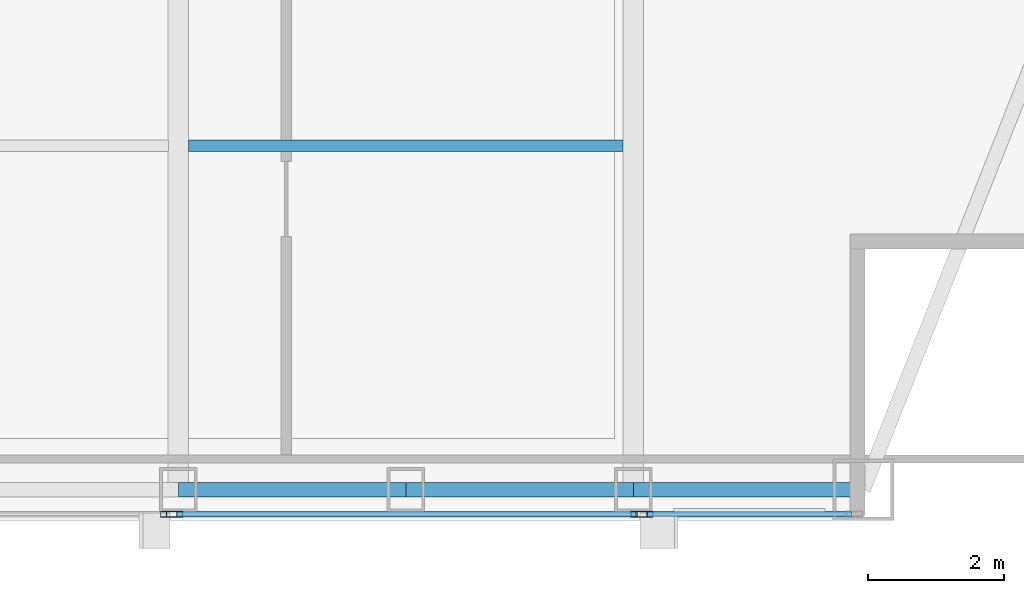
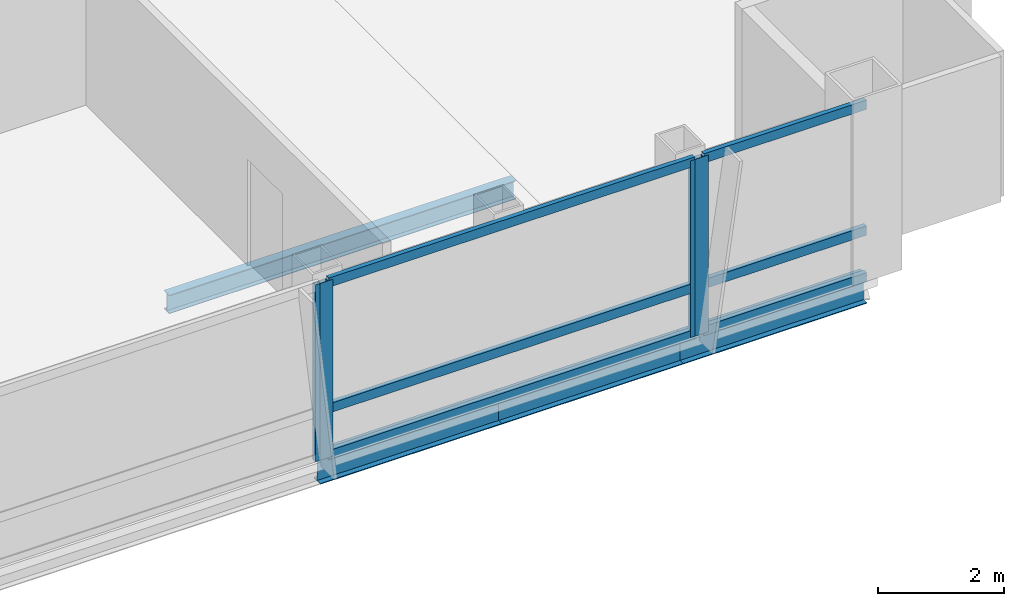
# One storey, part 14 of 29: 10 members, 4 beams, 3 elements without a shape of their own.
"""IFC4 building model written with IfcOpenShell, lengths in metres."""

from ifc_helpers import new_model, si_unit, direction, frame, origin, origin_2d, place, context, subcontext, project, spatial, hollow_rectangle, i_section, extrude, material, material_profile, profile_set, type_object, element, aggregate, save


model = new_model("IFC4")

# Units and contexts
model_context = context("Model", 3, precision=1e-05, world=origin(), true_north=direction((0.0, 1.0)))
body_context = subcontext(model_context, "Body", "Model", "MODEL_VIEW")
ifc_project = project(units=[si_unit("LENGTHUNIT", "METRE"), si_unit("AREAUNIT", "SQUARE_METRE"), si_unit("VOLUMEUNIT", "CUBIC_METRE"), si_unit("PLANEANGLEUNIT", "RADIAN"), si_unit("MASSUNIT", "GRAM", prefix="KILO")], contexts=[model_context])

# Site, building, storey
site_placement = place(None, origin())
site = spatial("IfcSite", under=ifc_project, at=site_placement, CompositionType="ELEMENT")
building_placement = place(site_placement, origin())
building = spatial("IfcBuilding", under=site, at=building_placement, Name="Khoronbel Lancet Exchange", CompositionType="ELEMENT")
storey_placement = place(building_placement, frame((0.0, 0.0, 329.0)))
storey = spatial("IfcBuildingStorey", under=building, at=storey_placement, Name="L85", CompositionType="ELEMENT", Elevation=329.0)

# Beams
ifc_material_1 = material(Name="Steel S355", Category="steel")
ifc_material_profile_1 = material_profile(ifc_material_1, i_section(OverallWidth=0.169921875, OverallDepth=0.360107421875, WebThickness=0.008056640625, FlangeThickness=0.0126953125, at=origin_2d()), Name="IPE 360")
ifc_profile_set_1 = profile_set([ifc_material_profile_1], Name="Steel S355")
beam_type_1 = type_object("IfcBeamType", Name="BM-BJ6", PredefinedType="JOIST", material=ifc_profile_set_1)
beam_1_placement = place(storey_placement, frame((48.14990234375, 15.199951171875, -0.340087890625), z_axis=(1.0, 0.0, 0.0), x_axis=(0.0, 1.0, 0.0)))
element("IfcBeam", 1, at=beam_1_placement, inside=storey, type_object=beam_type_1, Name="Level L85 secondary composite joist J03", PredefinedType="JOIST", context=body_context, shape_type="SweptSolid", body=[
    extrude(i_section(OverallWidth=0.169921875, OverallDepth=0.360107421875, WebThickness=0.008056640625, FlangeThickness=0.0126953125, at=origin_2d()), origin(), (0.0, 0.0, 1.0), 6.375),
])
ifc_material_profile_2 = material_profile(ifc_material_1, i_section(OverallWidth=0.2099609375, OverallDepth=0.550048828125, WebThickness=0.010986328125, FlangeThickness=0.01708984375, at=origin_2d()), Name="IPE 550")
ifc_profile_set_2 = profile_set([ifc_material_profile_2], Name="Steel S355")
beam_type_2 = type_object("IfcBeamType", Name="BM-BSP3", PredefinedType="SPANDREL", material=ifc_profile_set_2)
beam_2_placement = place(storey_placement, frame((48.0, 10.14990234375, -0.43505859375), z_axis=(1.0, 0.0, 0.0), x_axis=(0.0, 1.0, 0.0)))
element("IfcBeam", 2, at=beam_2_placement, inside=storey, type_object=beam_type_2, Name="Level L85 perimeter spandrel beam SP05", PredefinedType="SPANDREL", context=body_context, shape_type="SweptSolid", body=[
    extrude(i_section(OverallWidth=0.2099609375, OverallDepth=0.550048828125, WebThickness=0.010986328125, FlangeThickness=0.01708984375, at=origin_2d()), origin(), (0.0, 0.0, 1.0), 3.33740234375),
])
beam_3_placement = place(storey_placement, frame((51.33740234375, 10.14990234375, -0.43505859375), z_axis=(1.0, 0.0, 0.0), x_axis=(0.0, 1.0, 0.0)))
element("IfcBeam", 3, at=beam_3_placement, inside=storey, type_object=beam_type_2, Name="Level L85 perimeter spandrel beam SP06", PredefinedType="SPANDREL", context=body_context, shape_type="SweptSolid", body=[
    extrude(i_section(OverallWidth=0.2099609375, OverallDepth=0.550048828125, WebThickness=0.010986328125, FlangeThickness=0.01708984375, at=origin_2d()), origin(), (0.0, 0.0, 1.0), 3.337646484375),
])
beam_4_placement = place(storey_placement, frame((54.675048828125, 10.14990234375, -0.43505859375), z_axis=(1.0, 0.0, 0.0), x_axis=(0.0, 1.0, 0.0)))
element("IfcBeam", 4, at=beam_4_placement, inside=storey, type_object=beam_type_2, Name="Level L85 perimeter spandrel beam SP07", PredefinedType="SPANDREL", context=body_context, shape_type="SweptSolid", body=[
    extrude(i_section(OverallWidth=0.2099609375, OverallDepth=0.550048828125, WebThickness=0.010986328125, FlangeThickness=0.01708984375, at=origin_2d()), origin(), (0.0, 0.0, 1.0), 3.375),
])

# Curtain wall, member
ifc_material_2 = material(Name="Low-E Solar Control Insulating Glass", Category="glass")
curtain_wall_type = type_object("IfcCurtainWallType", Name="CW-3", PredefinedType="NOTDEFINED", material=ifc_material_2)
curtain_wall_1_placement = place(storey_placement, origin())
curtain_wall_1 = element("IfcCurtainWall", 5, at=curtain_wall_1_placement, inside=storey, type_object=curtain_wall_type, Name="Unitised curtain wall CW-L85-SCV", PredefinedType="NOTDEFINED")
ifc_material_3 = material(Name="Bronze-Anodised Aluminium 6063-T6", Category="aluminium")
ifc_material_profile_3 = material_profile(ifc_material_3, hollow_rectangle(XDim=0.0849609375, YDim=0.239990234375, WallThickness=0.006103515625, at=origin_2d()), Name="ALU MULLION 85x240")
ifc_profile_set_3 = profile_set([ifc_material_profile_3], Name="Bronze-Anodised Aluminium 6063-T6")
member_type_1 = type_object("IfcMemberType", Name="MEM-CWM1", PredefinedType="MULLION", material=ifc_profile_set_3)
member_1_placement = place(storey_placement, frame((47.857421875, 9.7900390625, 0.0), z_axis=(0.0, 0.0, 1.0), x_axis=(0.0, 1.0, 0.0)))
member_1 = element("IfcMember", 6, at=member_1_placement, type_object=member_type_1, Name="CW3 mullion 3", PredefinedType="MULLION", context=body_context, shape_type="SweptSolid", body=[
    extrude(hollow_rectangle(XDim=0.0849609375, YDim=0.239990234375, WallThickness=0.006103515625, at=origin_2d()), origin(), (0.0, 0.0, 1.0), 3.43994140625),
])
aggregate(curtain_wall_1, [member_1])

# Curtain wall, members
curtain_wall_2_placement = place(storey_placement, origin())
curtain_wall_2 = element("IfcCurtainWall", 7, at=curtain_wall_2_placement, inside=storey, type_object=curtain_wall_type, Name="Unitised curtain wall CW-L85-SEB", PredefinedType="NOTDEFINED")
member_2_placement = place(storey_placement, frame((47.9423828125, 9.7900390625, 0.0), z_axis=(0.0, 0.0, 1.0), x_axis=(0.0, 1.0, 0.0)))
member_2 = element("IfcMember", 8, at=member_2_placement, type_object=member_type_1, Name="CW3 mullion 1", PredefinedType="MULLION", context=body_context, shape_type="SweptSolid", body=[
    extrude(hollow_rectangle(XDim=0.0849609375, YDim=0.239990234375, WallThickness=0.006103515625, at=origin_2d()), origin(), (0.0, 0.0, 1.0), 3.43994140625),
])
member_3_placement = place(storey_placement, frame((54.757568359375, 9.7900390625, 0.0), z_axis=(0.0, 0.0, 1.0), x_axis=(0.0, 1.0, 0.0)))
member_3 = element("IfcMember", 9, at=member_3_placement, type_object=member_type_1, Name="CW3 mullion 2", PredefinedType="MULLION", context=body_context, shape_type="SweptSolid", body=[
    extrude(hollow_rectangle(XDim=0.0849609375, YDim=0.239990234375, WallThickness=0.006103515625, at=origin_2d()), origin(), (0.0, 0.0, 1.0), 3.43994140625),
])

# Curtain wall, member
curtain_wall_3_placement = place(storey_placement, origin())
curtain_wall_3 = element("IfcCurtainWall", 10, at=curtain_wall_3_placement, inside=storey, type_object=curtain_wall_type, Name="Unitised curtain wall CW-L85-SEV", PredefinedType="NOTDEFINED")
member_4_placement = place(storey_placement, frame((54.842529296875, 9.7900390625, 0.0), z_axis=(0.0, 0.0, 1.0), x_axis=(0.0, 1.0, 0.0)))
member_4 = element("IfcMember", 11, at=member_4_placement, type_object=member_type_1, Name="CW3 mullion 1", PredefinedType="MULLION", context=body_context, shape_type="SweptSolid", body=[
    extrude(hollow_rectangle(XDim=0.0849609375, YDim=0.239990234375, WallThickness=0.006103515625, at=origin_2d()), origin(), (0.0, 0.0, 1.0), 3.43994140625),
])

# Member
ifc_material_profile_4 = material_profile(ifc_material_3, hollow_rectangle(XDim=0.0849609375, YDim=0.179931640625, WallThickness=0.0048828125, at=origin_2d()), Name="ALU TRANSOM 85x180")
ifc_profile_set_4 = profile_set([ifc_material_profile_4], Name="Bronze-Anodised Aluminium 6063-T6")
member_type_2 = type_object("IfcMemberType", Name="MEM-CWT1", PredefinedType="USERDEFINED", material=ifc_profile_set_4)
member_5_placement = place(storey_placement, frame((47.985107421875, 9.7900390625, 0.04248046875), z_axis=(1.0, 0.0, 0.0), x_axis=(0.0, 1.0, 0.0)))
member_5 = element("IfcMember", 12, at=member_5_placement, type_object=member_type_2, Name="CW3 transom 1.1", ObjectType="TRANSOM", PredefinedType="USERDEFINED", context=body_context, shape_type="SweptSolid", body=[
    extrude(hollow_rectangle(XDim=0.0849609375, YDim=0.179931640625, WallThickness=0.0048828125, at=origin_2d()), origin(), (0.0, 0.0, 1.0), 6.72998046875),
])

member_6_placement = place(storey_placement, frame((47.985107421875, 9.7900390625, 0.949951171875), z_axis=(1.0, 0.0, 0.0), x_axis=(0.0, 1.0, 0.0)))
member_6 = element("IfcMember", 13, at=member_6_placement, type_object=member_type_2, Name="CW3 transom 1.2", ObjectType="TRANSOM", PredefinedType="USERDEFINED", context=body_context, shape_type="SweptSolid", body=[
    extrude(hollow_rectangle(XDim=0.0849609375, YDim=0.179931640625, WallThickness=0.0048828125, at=origin_2d()), origin(), (0.0, 0.0, 1.0), 6.72998046875),
])

member_7_placement = place(storey_placement, frame((47.985107421875, 9.7900390625, 3.3974609375), z_axis=(1.0, 0.0, 0.0), x_axis=(0.0, 1.0, 0.0)))
member_7 = element("IfcMember", 14, at=member_7_placement, type_object=member_type_2, Name="CW3 transom 1.3", ObjectType="TRANSOM", PredefinedType="USERDEFINED", context=body_context, shape_type="SweptSolid", body=[
    extrude(hollow_rectangle(XDim=0.0849609375, YDim=0.179931640625, WallThickness=0.0048828125, at=origin_2d()), origin(), (0.0, 0.0, 1.0), 6.72998046875),
])

aggregate(curtain_wall_2, [member_2, member_3, member_5, member_6, member_7])

member_8_placement = place(storey_placement, frame((54.885009765625, 9.7900390625, 0.04248046875), z_axis=(1.0, 0.0, 0.0), x_axis=(0.0, 1.0, 0.0)))
member_8 = element("IfcMember", 15, at=member_8_placement, type_object=member_type_2, Name="CW3 transom 1.1", ObjectType="TRANSOM", PredefinedType="USERDEFINED", context=body_context, shape_type="SweptSolid", body=[
    extrude(hollow_rectangle(XDim=0.0849609375, YDim=0.179931640625, WallThickness=0.0048828125, at=origin_2d()), origin(), (0.0, 0.0, 1.0), 2.989990234375),
])

member_9_placement = place(storey_placement, frame((54.885009765625, 9.7900390625, 0.949951171875), z_axis=(1.0, 0.0, 0.0), x_axis=(0.0, 1.0, 0.0)))
member_9 = element("IfcMember", 16, at=member_9_placement, type_object=member_type_2, Name="CW3 transom 1.2", ObjectType="TRANSOM", PredefinedType="USERDEFINED", context=body_context, shape_type="SweptSolid", body=[
    extrude(hollow_rectangle(XDim=0.0849609375, YDim=0.179931640625, WallThickness=0.0048828125, at=origin_2d()), origin(), (0.0, 0.0, 1.0), 2.989990234375),
])

member_10_placement = place(storey_placement, frame((54.885009765625, 9.7900390625, 3.3974609375), z_axis=(1.0, 0.0, 0.0), x_axis=(0.0, 1.0, 0.0)))
member_10 = element("IfcMember", 17, at=member_10_placement, type_object=member_type_2, Name="CW3 transom 1.3", ObjectType="TRANSOM", PredefinedType="USERDEFINED", context=body_context, shape_type="SweptSolid", body=[
    extrude(hollow_rectangle(XDim=0.0849609375, YDim=0.179931640625, WallThickness=0.0048828125, at=origin_2d()), origin(), (0.0, 0.0, 1.0), 2.989990234375),
])

aggregate(curtain_wall_3, [member_4, member_8, member_9, member_10])

save(model, "model.ifc")
